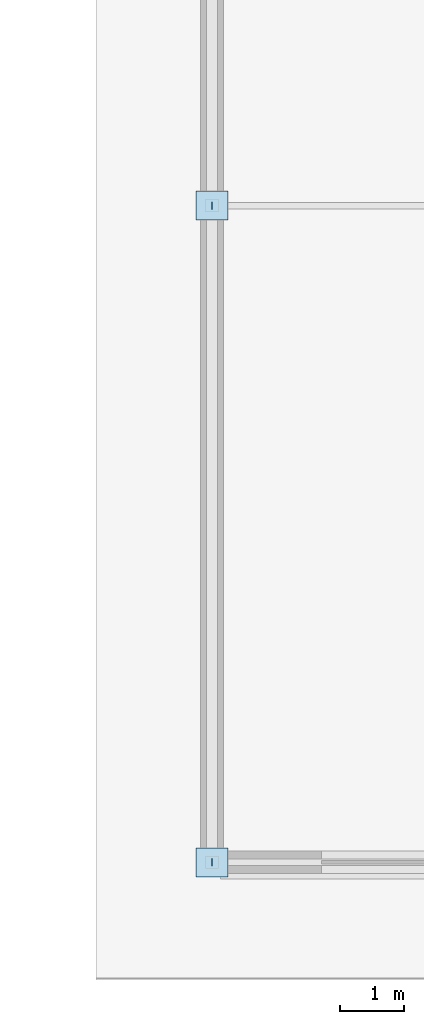
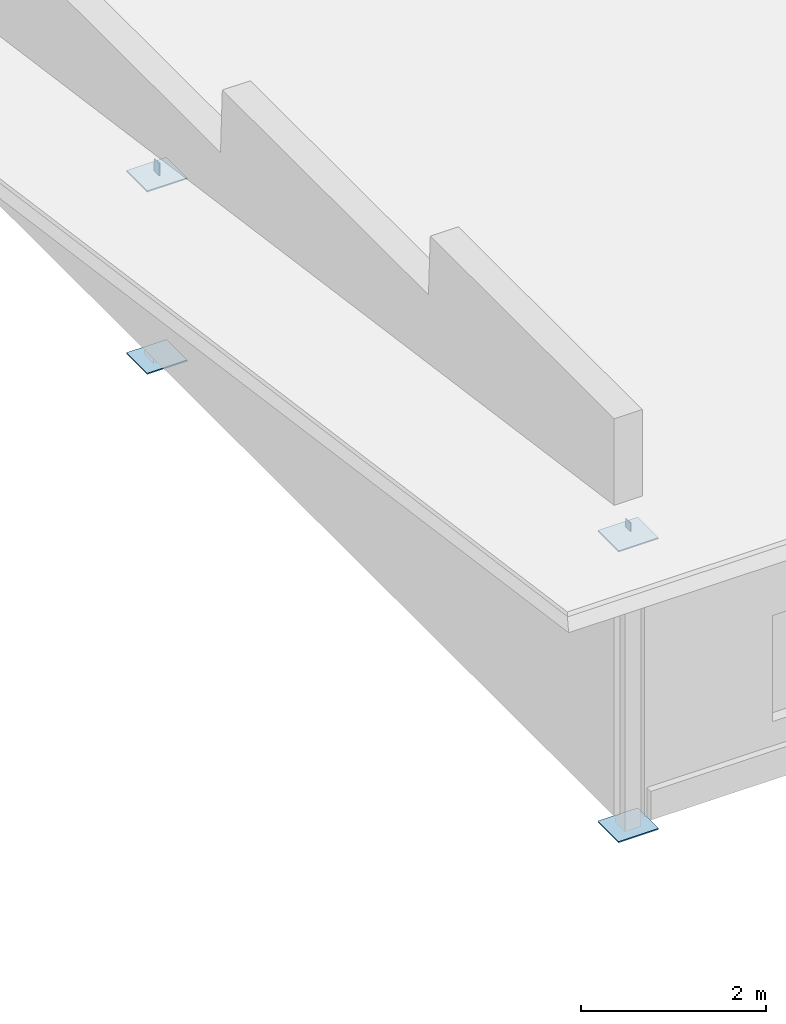
# One storey, part 52 of 70: 6 plates.
"""IFC4 building model written with IfcOpenShell, lengths in metres."""

from ifc_helpers import new_model, si_unit, direction, frame, origin, origin_2d, place, context, subcontext, project, spatial, rectangle, extrude, material, layer, layer_set, type_object, element, save


model = new_model("IFC4")

# Units and contexts
model_context = context("Model", 3, precision=1e-05, world=origin(), true_north=direction((0.0, 1.0)))
body_context = subcontext(model_context, "Body", "Model", "MODEL_VIEW")
ifc_project = project(units=[si_unit("LENGTHUNIT", "METRE"), si_unit("AREAUNIT", "SQUARE_METRE"), si_unit("VOLUMEUNIT", "CUBIC_METRE"), si_unit("PLANEANGLEUNIT", "RADIAN"), si_unit("MASSUNIT", "GRAM", prefix="KILO")], contexts=[model_context])

# Site, building, storey
site_placement = place(None, origin())
site = spatial("IfcSite", under=ifc_project, at=site_placement, CompositionType="ELEMENT")
building_placement = place(site_placement, origin())
building = spatial("IfcBuilding", under=site, at=building_placement, Name="Vondelvale Polytechnic", CompositionType="ELEMENT")
storey_placement = place(building_placement, frame((0.0, 0.0, 22.199951171875)))
storey = spatial("IfcBuildingStorey", under=building, at=storey_placement, Name="L05", CompositionType="ELEMENT", Elevation=22.199951171875)

# Plates
ifc_material = material(Name="Steel Grade 350 (fy = 340 MPa)", Category="steel")
ifc_layer_1 = layer(ifc_material, 0.011962890625)
ifc_layer_set_1 = layer_set([ifc_layer_1], Name="PLATE-CAP-C05")
plate_type_1 = type_object("IfcPlateType", Name="PLATE-CAP-C05", PredefinedType="USERDEFINED", material=ifc_layer_set_1)
plate_1_placement = place(storey_placement, frame((134.39990234375, 10.199951171875, 2.25048828125), z_axis=(0.0, 0.0, 1.0), x_axis=(1.0, 0.0, 0.0)))
element("IfcPlate", 1, at=plate_1_placement, inside=storey, type_object=plate_type_1, Name="Lecture wing purlin West end cap plate 10", ObjectType="CAP_PLATE", PredefinedType="USERDEFINED", context=body_context, shape_type="SweptSolid", body=[
    extrude(rectangle(XDim=0.011962890625, YDim=0.110107421875, at=origin_2d()), origin(), (0.0, 0.0, 1.0), 0.159912109375),
])
ifc_layer_2 = layer(ifc_material, 0.010009765625)
ifc_layer_set_2 = layer_set([ifc_layer_2], Name="PLATE-CAP-C06")
plate_type_2 = type_object("IfcPlateType", Name="PLATE-CAP-C06", PredefinedType="USERDEFINED", material=ifc_layer_set_2)
plate_2_placement = place(storey_placement, frame((134.39990234375, 0.0, 3.732421875), z_axis=(0.0, 0.0, 1.0), x_axis=(1.0, 0.0, 0.0)))
element("IfcPlate", 2, at=plate_2_placement, inside=storey, type_object=plate_type_2, Name="Lecture wing purlin West end cap plate 0", ObjectType="CAP_PLATE", PredefinedType="USERDEFINED", context=body_context, shape_type="SweptSolid", body=[
    extrude(rectangle(XDim=0.010009765625, YDim=0.110107421875, at=origin_2d()), origin(), (0.0, 0.0, 1.0), 0.110107421875),
])
ifc_layer_3 = layer(ifc_material, 0.01611328125)
ifc_layer_set_3 = layer_set([ifc_layer_3], Name="PLATE-GUSSET-16")
plate_type_3 = type_object("IfcPlateType", Name="PLATE-GUSSET-16", PredefinedType="USERDEFINED", material=ifc_layer_set_3)
for number, where, z_axis, x_axis, name in (
    (3, (134.39990234375, 0.0, -0.18798828125), (0.0, 0.0, 1.0), (1.0, 0.0, 0.0), "Lecture roof post plate"),
    (4, (134.39990234375, 0.0, 3.651123046875), (0.0, 0.0, 1.0), (1.0, 0.0, 0.0), "Lecture roof post plate"),
    (5, (134.39990234375, 10.199951171875, -0.18798828125), (0.0, 0.0, 1.0), (1.0, 0.0, 0.0), "Lecture roof post plate"),
    (6, (134.39990234375, 10.199951171875, 2.21923828125), (0.0, 0.0, 1.0), (1.0, 0.0, 0.0), "Lecture roof post plate"),
):
    element("IfcPlate", number, at=place(storey_placement, frame(where, z_axis=z_axis, x_axis=x_axis)), inside=storey, type_object=plate_type_3, Name=name, ObjectType="GUSSET_PLATE", PredefinedType="USERDEFINED", context=body_context, shape_type="SweptSolid", body=[
        extrude(rectangle(XDim=0.5, YDim=0.449951171875, at=origin_2d()), origin(), (0.0, 0.0, 1.0), 0.01611328125),
    ])

save(model, "model.ifc")
